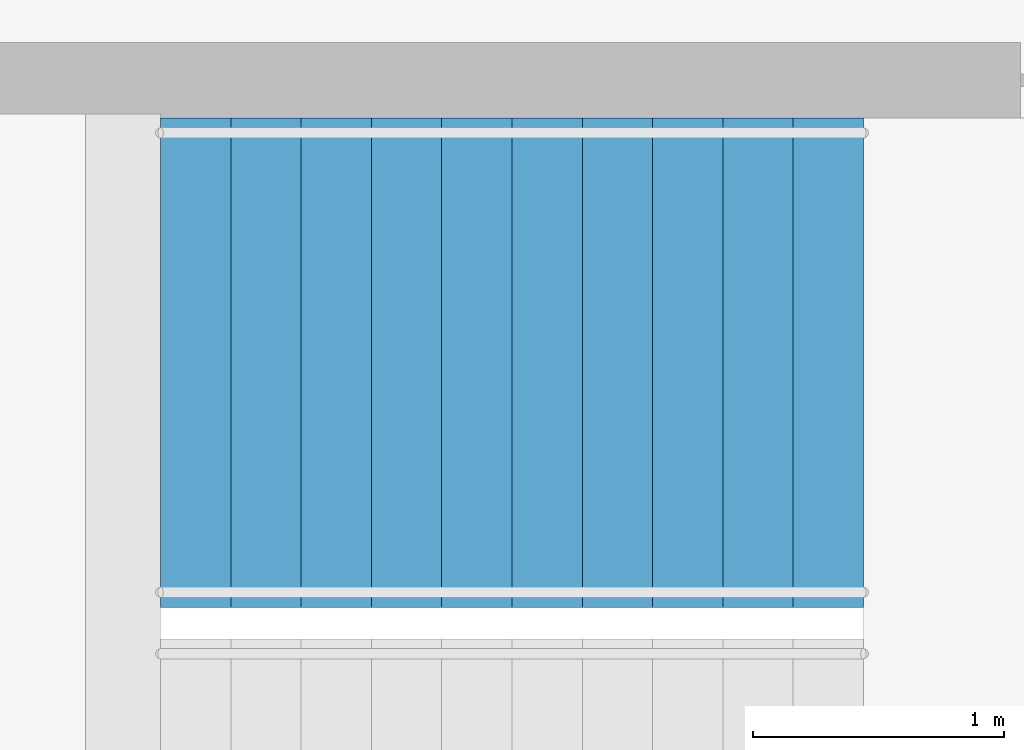
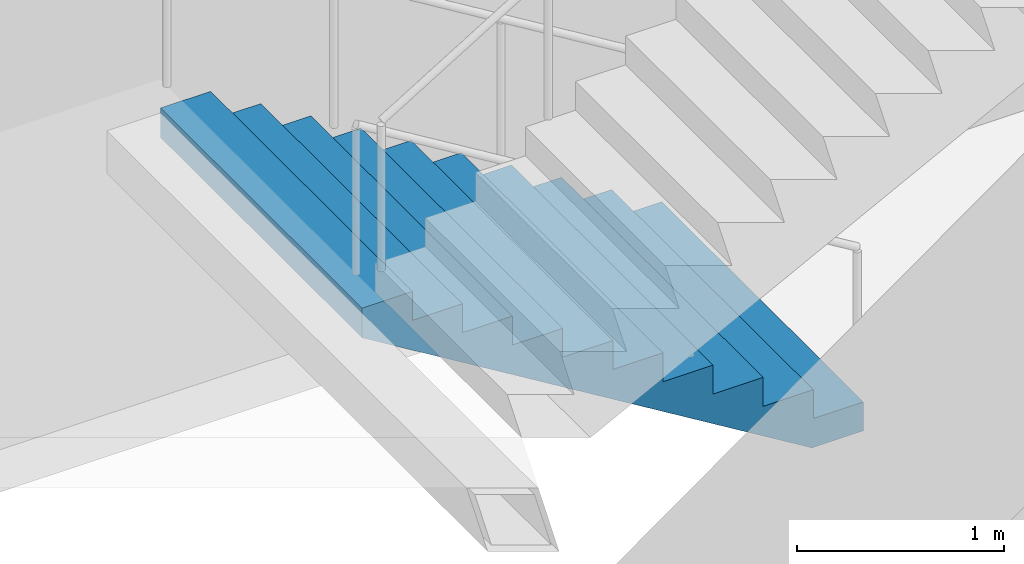
# One storey, part 21 of 22: 1 stair flight, 1 element without a shape of its own.
"""IFC4 building model written with IfcOpenShell, lengths in metres."""

import ifcopenshell
import ifcopenshell.guid

model = None  # the IFC model being written
_history = None  # IfcOwnerHistory: only IFC2X3 demands one
_inside = {}  # id of a spatial element -> (the spatial element, [elements in it])
_under = {}  # id of a project, library or spatial element -> (it, [spatial elements below it])
_declared = {}  # id of a project -> (the project, [libraries it declares])
_typed = {}  # id of a type object -> (the type object, [elements of that type])
_made_of = {}  # id of a material, layer set ... -> (it, [elements and type objects made of it])


def new_model(schema):
    """Start an empty IFC model of exactly this schema.

    Asked for "IFC4X3", IfcOpenShell would pick the latest addendum, in which some entities
    have other attributes; the version numbers below select the first issue.
    IFC2X3 requires an IfcOwnerHistory on every rooted entity: one is made here for all.
    """
    global model, _history
    if schema == "IFC4X3":
        model = ifcopenshell.file(schema_version=(4, 3, 0, 0))
    else:
        model = ifcopenshell.file(schema=schema)
    _inside.clear()
    _under.clear()
    _declared.clear()
    _typed.clear()
    _made_of.clear()
    _history = None
    if model.schema == "IFC2X3":
        org = make("IfcOrganization", Name="unknown")
        user = make(
            "IfcPersonAndOrganization",
            ThePerson=make("IfcPerson", FamilyName="unknown"),
            TheOrganization=org,
        )
        app = make(
            "IfcApplication",
            ApplicationDeveloper=org,
            Version="unknown",
            ApplicationFullName="unknown",
            ApplicationIdentifier="unknown",
        )
        _history = make(
            "IfcOwnerHistory",
            OwningUser=user,
            OwningApplication=app,
            ChangeAction="ADDED",
            CreationDate=0,
        )
    return model


def make(cls, **values):
    """One entity of the class cls with the attributes given. An attribute that is None is left unset."""
    return model.create_entity(
        cls, **{name: value for name, value in values.items() if value is not None}
    )


def rooted(cls, **values):
    """An entity with a GlobalId (a new one), such as an element, a storey or a relation."""
    return make(cls, GlobalId=ifcopenshell.guid.new(), OwnerHistory=_history, **values)


def si_unit(unit_type, name, prefix=None):
    """IfcSIUnit, for example si_unit("LENGTHUNIT", "METRE", prefix="MILLI")."""
    return make("IfcSIUnit", UnitType=unit_type, Prefix=prefix, Name=name)


def assignment(units):
    """IfcUnitAssignment: the units of a project."""
    return None if units is None else make("IfcUnitAssignment", Units=units)


def point(xyz):
    """IfcCartesianPoint."""
    return None if xyz is None else make("IfcCartesianPoint", Coordinates=xyz)


def direction(xyz):
    """IfcDirection."""
    return None if xyz is None else make("IfcDirection", DirectionRatios=xyz)


def frame(location, z_axis=None, x_axis=None):
    """IfcAxis2Placement3D, a coordinate frame: its origin and axes. An axis left out is left unset."""
    return make(
        "IfcAxis2Placement3D",
        Location=point(location),
        Axis=direction(z_axis),
        RefDirection=direction(x_axis),
    )


def origin():
    """The frame at (0, 0, 0) with its axes left unset."""
    return frame((0.0, 0.0, 0.0))


def place(relative_to, where):
    """IfcLocalPlacement: puts the frame where relative to a parent placement (None: the world)."""
    return make(
        "IfcLocalPlacement", PlacementRelTo=relative_to, RelativePlacement=where
    )


def context(
    kind, dimensions, precision=None, world=None, true_north=None, identifier=None
):
    """IfcGeometricRepresentationContext, for example the 3D "Model" context."""
    return make(
        "IfcGeometricRepresentationContext",
        ContextIdentifier=identifier,
        ContextType=kind,
        CoordinateSpaceDimension=dimensions,
        Precision=precision,
        WorldCoordinateSystem=world,
        TrueNorth=true_north,
    )


def subcontext(parent, identifier, kind, view, scale=None):
    """IfcGeometricRepresentationSubContext, for example "Body" below "Model"."""
    return make(
        "IfcGeometricRepresentationSubContext",
        ContextIdentifier=identifier,
        ContextType=kind,
        ParentContext=parent,
        TargetScale=scale,
        TargetView=view,
    )


def project(units=None, contexts=None):
    """IfcProject with its units and contexts."""
    return rooted(
        "IfcProject",
        Name="project",
        RepresentationContexts=contexts,
        UnitsInContext=assignment(units),
    )


def spatial(cls, under=None, at=None, **own):
    """A site, building, storey or space (cls), placed at a placement, below another one or the project."""
    s = rooted(cls, ObjectPlacement=at, **own)
    if under is not None:
        _under.setdefault(under.id(), (under, []))[1].append(s)
    return s


def point_list(points):
    """IfcCartesianPointList2D or 3D."""
    cls = (
        "IfcCartesianPointList2D" if len(points[0]) == 2 else "IfcCartesianPointList3D"
    )
    return make(cls, CoordList=points)


def triangles(points, corners, closed=None, point_numbers=None):
    """IfcTriangulatedFaceSet: each triangle names its three corners, points numbered from 1."""
    return make(
        "IfcTriangulatedFaceSet",
        Coordinates=point_list(points),
        Closed=closed,
        CoordIndex=corners,
        PnIndex=point_numbers,
    )


def shape(context_of_items, identifier, shape_type, items):
    """IfcShapeRepresentation: the items that make up one representation, for example the "Body"."""
    return make(
        "IfcShapeRepresentation",
        ContextOfItems=context_of_items,
        RepresentationIdentifier=identifier,
        RepresentationType=shape_type,
        Items=items,
    )


def material(Name=None, Category=None):
    """IfcMaterial."""
    return make("IfcMaterial", Name=Name, Category=Category)


def made_of(thing, what):
    """Note that an element or type object is made of a material, layer set ...; save() writes the relation."""
    if what is not None:
        _made_of.setdefault(what.id(), (what, []))[1].append(thing)
    return thing


def type_object(cls, material=None, **own):
    """A type object (cls), such as IfcWallType, which elements share."""
    return made_of(rooted(cls, **own), material)


def element(
    cls,
    number,
    at=None,
    inside=None,
    cuts=None,
    type_object=None,
    material=None,
    context=None,
    identifier="Body",
    shape_type=None,
    held_by="IfcProductDefinitionShape",
    body=None,
    shapes=None,
    **own,
):
    """One element of the class cls, such as IfcWall. Its Tag is "e" and its number.

    at: its placement. inside: the storey or other place that contains it. cuts: it is an
    opening in that element (IfcRelVoidsElement). A single representation is given by context,
    identifier, shape_type and body (its items); several are given by shapes. held_by: the class
    of the entity that holds the representations. save() writes the other relations.
    """
    e = rooted(cls, Tag="e%d" % number, ObjectPlacement=at, **own)
    if body is not None:
        shapes = [shape(context, identifier, shape_type, body)]
    if shapes is not None:
        e.Representation = make(held_by, Representations=shapes)
    if inside is not None:
        _inside.setdefault(inside.id(), (inside, []))[1].append(e)
    if cuts is not None:
        rooted(
            "IfcRelVoidsElement", RelatingBuildingElement=cuts, RelatedOpeningElement=e
        )
    if type_object is not None:
        _typed.setdefault(type_object.id(), (type_object, []))[1].append(e)
    return made_of(e, material)


def aggregate(whole, parts):
    """IfcRelAggregates: a whole, such as a stair, and the parts it consists of."""
    return rooted("IfcRelAggregates", RelatingObject=whole, RelatedObjects=parts)


def save(model, path):
    """Write the relations noted so far, then the file.

    IfcRelAggregates (storeys below a building ...), IfcRelContainedInSpatialStructure (elements
    in a storey), IfcRelDefinesByType, IfcRelAssociatesMaterial and IfcRelDeclares: one each for
    every whole, place, type object, material and project.
    """
    for whole, parts in _under.values():
        aggregate(whole, parts)
    for where, things in _inside.values():
        rooted(
            "IfcRelContainedInSpatialStructure",
            RelatedElements=things,
            RelatingStructure=where,
        )
    for kind, things in _typed.values():
        rooted("IfcRelDefinesByType", RelatedObjects=things, RelatingType=kind)
    for what, things in _made_of.values():
        rooted("IfcRelAssociatesMaterial", RelatedObjects=things, RelatingMaterial=what)
    for by, libraries in _declared.values():
        rooted("IfcRelDeclares", RelatingContext=by, RelatedDefinitions=libraries)
    model.write(path)


model = new_model("IFC4")

# Units and contexts
model_context = context("Model", 3, precision=1e-05, world=origin(), true_north=direction((0.0, 1.0)))
body_context = subcontext(model_context, "Body", "Model", "MODEL_VIEW")
ifc_project = project(units=[si_unit("LENGTHUNIT", "METRE"), si_unit("AREAUNIT", "SQUARE_METRE"), si_unit("VOLUMEUNIT", "CUBIC_METRE"), si_unit("PLANEANGLEUNIT", "RADIAN"), si_unit("MASSUNIT", "GRAM", prefix="KILO")], contexts=[model_context])

# Site, building, storey
site_placement = place(None, origin())
site = spatial("IfcSite", under=ifc_project, at=site_placement, CompositionType="ELEMENT")
building_placement = place(site_placement, origin())
building = spatial("IfcBuilding", under=site, at=building_placement, Name="Orbita Commons", CompositionType="ELEMENT")
storey_placement = place(building_placement, frame((0.0, 0.0, 186.10009765625)))
storey = spatial("IfcBuildingStorey", under=building, at=storey_placement, Name="L46", CompositionType="ELEMENT", Elevation=186.10009765625)

# Stair, stair flight
ifc_material_1 = material(Name="Precast concrete C40/50", Category="concrete")
stair_type = type_object("IfcStairType", Name="Exit stair S2 2 flights 11 risers 170", PredefinedType="HALF_TURN_STAIR", material=ifc_material_1)
stair_placement = place(storey_placement, origin())
stair = element("IfcStair", 1, at=stair_placement, inside=storey, type_object=stair_type, Name="Exit stair S2 L46", PredefinedType="HALF_TURN_STAIR")
ifc_material_2 = material(Name="Precast concrete C40/50", Category="concrete")
stair_flight_type = type_object("IfcStairFlightType", Name="Stair flight 11 risers 170 x 280", PredefinedType="STRAIGHT", material=ifc_material_2)
stair_flight_placement = place(storey_placement, frame((63.550048828125, 29.27490234375, 0.0), z_axis=(0.0, 0.0, 1.0), x_axis=(-1.0, 0.0, 0.0)))
stair_flight = element("IfcStairFlight", 2, at=stair_flight_placement, type_object=stair_flight_type, Name="S2 flight 1", NumberOfRisers=11, NumberOfTreads=10, PredefinedType="STRAIGHT", RiserHeight=0.170454545, TreadLength=0.28, context=body_context, shape_type="Tessellation", body=[
    triangles([(0.0, 0.974976, 0.0), (0.0, 0.974976, 0.021307), (0.0, 0.81248, 0.021307), (0.0, 0.81248, 0.0), (0.0, 0.649984, 0.021307), (0.0, 0.649984, 0.0), (0.0, 0.487488, 0.021307), (0.0, 0.487488, 0.0), (0.0, 0.324992, 0.021307), (0.0, 0.324992, 0.0), (0.0, 0.162496, 0.021307), (0.0, 0.162496, 0.0), (0.0, 0.0, 0.021307), (0.0, 0.0, 0.0), (0.0, -0.162496, 0.021307), (0.0, -0.162496, 0.0), (0.0, -0.324992, 0.021307), (0.0, -0.324992, 0.0), (0.0, -0.487488, 0.021307), (0.0, -0.487488, 0.0), (0.0, -0.649984, 0.021307), (0.0, -0.649984, 0.0), (0.0, -0.81248, 0.021307), (0.0, -0.81248, 0.0), (0.0, -0.974976, 0.021307), (0.0, -0.974976, 0.0), (0.0, 0.974976, 0.042614), (0.0, 0.81248, 0.042614), (0.0, 0.649984, 0.042614), (0.0, 0.487488, 0.042614), (0.0, 0.324992, 0.042614), (0.0, 0.162496, 0.042614), (0.0, 0.0, 0.042614), (0.0, -0.162496, 0.042614), (0.0, -0.324992, 0.042614), (0.0, -0.487488, 0.042614), (0.0, -0.649984, 0.042614), (0.0, -0.81248, 0.042614), (0.0, -0.974976, 0.042614), (0.0, 0.974976, 0.06392), (0.0, 0.81248, 0.06392), (0.0, 0.649984, 0.06392), (0.0, 0.487488, 0.06392), (0.0, 0.324992, 0.06392), (0.0, 0.162496, 0.06392), (0.0, 0.0, 0.06392), (0.0, -0.162496, 0.06392), (0.0, -0.324992, 0.06392), (0.0, -0.487488, 0.06392), (0.0, -0.649984, 0.06392), (0.0, -0.81248, 0.06392), (0.0, -0.974976, 0.06392), (0.0, 0.974976, 0.085227), (0.0, 0.81248, 0.085227), (0.0, 0.649984, 0.085227), (0.0, 0.487488, 0.085227), (0.0, 0.324992, 0.085227), (0.0, 0.162496, 0.085227), (0.0, 0.0, 0.085227), (0.0, -0.162496, 0.085227), (0.0, -0.324992, 0.085227), (0.0, -0.487488, 0.085227), (0.0, -0.649984, 0.085227), (0.0, -0.81248, 0.085227), (0.0, -0.974976, 0.085227), (0.0, 0.974976, 0.106534), (0.0, 0.81248, 0.106534), (0.0, 0.649984, 0.106534), (0.0, 0.487488, 0.106534), (0.0, 0.324992, 0.106534), (0.0, 0.162496, 0.106534), (0.0, 0.0, 0.106534), (0.0, -0.162496, 0.106534), (0.0, -0.324992, 0.106534), (0.0, -0.487488, 0.106534), (0.0, -0.649984, 0.106534), (0.0, -0.81248, 0.106534), (0.0, -0.974976, 0.106534), (0.0, 0.974976, 0.127841), (0.0, 0.81248, 0.127841), (0.0, 0.649984, 0.127841), (0.0, 0.487488, 0.127841), (0.0, 0.324992, 0.127841), (0.0, 0.162496, 0.127841), (0.0, 0.0, 0.127841), (0.0, -0.162496, 0.127841), (0.0, -0.324992, 0.127841), (0.0, -0.487488, 0.127841), (0.0, -0.649984, 0.127841), (0.0, -0.81248, 0.127841), (0.0, -0.974976, 0.127841), (0.0, 0.974976, 0.149148), (0.0, 0.81248, 0.149148), (0.0, 0.649984, 0.149148), (0.0, 0.487488, 0.149148), (0.0, 0.324992, 0.149148), (0.0, 0.162496, 0.149148), (0.0, 0.0, 0.149148), (0.0, -0.162496, 0.149148), (0.0, -0.324992, 0.149148), (0.0, -0.487488, 0.149148), (0.0, -0.649984, 0.149148), (0.0, -0.81248, 0.149148), (0.0, -0.974976, 0.149148), (0.0, 0.974976, 0.170455), (0.0, 0.81248, 0.170455), (0.0, 0.649984, 0.170455), (0.0, 0.487488, 0.170455), (0.0, 0.324992, 0.170455), (0.0, 0.162496, 0.170455), (0.0, 0.0, 0.170455), (0.0, -0.162496, 0.170455), (0.0, -0.324992, 0.170455), (0.0, -0.487488, 0.170455), (0.0, -0.649984, 0.170455), (0.0, -0.81248, 0.170455), (0.0, -0.974976, 0.170455), (0.28, 0.974976, 0.170455), (0.28, 0.81248, 0.170455), (0.28, 0.649984, 0.170455), (0.28, 0.487488, 0.170455), (0.28, 0.324992, 0.170455), (0.28, 0.162496, 0.170455), (0.28, 0.0, 0.170455), (0.28, -0.162496, 0.170455), (0.28, -0.324992, 0.170455), (0.28, -0.487488, 0.170455), (0.28, -0.649984, 0.170455), (0.28, -0.81248, 0.170455), (0.28, -0.974976, 0.170455), (0.28, 0.974976, 0.340909), (0.28, 0.81248, 0.340909), (0.28, 0.649984, 0.340909), (0.28, 0.487488, 0.340909), (0.28, 0.324992, 0.340909), (0.28, 0.162496, 0.340909), (0.28, 0.0, 0.340909), (0.28, -0.162496, 0.340909), (0.28, -0.324992, 0.340909), (0.28, -0.487488, 0.340909), (0.28, -0.649984, 0.340909), (0.28, -0.81248, 0.340909), (0.28, -0.974976, 0.340909), (0.56, 0.974976, 0.340909), (0.56, 0.81248, 0.340909), (0.56, 0.649984, 0.340909), (0.56, 0.487488, 0.340909), (0.56, 0.324992, 0.340909), (0.56, 0.162496, 0.340909), (0.56, 0.0, 0.340909), (0.56, -0.162496, 0.340909), (0.56, -0.324992, 0.340909), (0.56, -0.487488, 0.340909), (0.56, -0.649984, 0.340909), (0.56, -0.81248, 0.340909), (0.56, -0.974976, 0.340909), (0.56, 0.974976, 0.511364), (0.56, 0.81248, 0.511364), (0.56, 0.649984, 0.511364), (0.56, 0.487488, 0.511364), (0.56, 0.324992, 0.511364), (0.56, 0.162496, 0.511364), (0.56, 0.0, 0.511364), (0.56, -0.162496, 0.511364), (0.56, -0.324992, 0.511364), (0.56, -0.487488, 0.511364), (0.56, -0.649984, 0.511364), (0.56, -0.81248, 0.511364), (0.56, -0.974976, 0.511364), (0.84, 0.974976, 0.511364), (0.84, 0.81248, 0.511364), (0.84, 0.649984, 0.511364), (0.84, 0.487488, 0.511364), (0.84, 0.324992, 0.511364), (0.84, 0.162496, 0.511364), (0.84, 0.0, 0.511364), (0.84, -0.162496, 0.511364), (0.84, -0.324992, 0.511364), (0.84, -0.487488, 0.511364), (0.84, -0.649984, 0.511364), (0.84, -0.81248, 0.511364), (0.84, -0.974976, 0.511364), (0.84, 0.974976, 0.681818), (0.84, 0.81248, 0.681818), (0.84, 0.649984, 0.681818), (0.84, 0.487488, 0.681818), (0.84, 0.324992, 0.681818), (0.84, 0.162496, 0.681818), (0.84, 0.0, 0.681818), (0.84, -0.162496, 0.681818), (0.84, -0.324992, 0.681818), (0.84, -0.487488, 0.681818), (0.84, -0.649984, 0.681818), (0.84, -0.81248, 0.681818), (0.84, -0.974976, 0.681818), (1.12, 0.974976, 0.681818), (1.12, 0.81248, 0.681818), (1.12, 0.649984, 0.681818), (1.12, 0.487488, 0.681818), (1.12, 0.324992, 0.681818), (1.12, 0.162496, 0.681818), (1.12, 0.0, 0.681818), (1.12, -0.162496, 0.681818), (1.12, -0.324992, 0.681818), (1.12, -0.487488, 0.681818), (1.12, -0.649984, 0.681818), (1.12, -0.81248, 0.681818), (1.12, -0.974976, 0.681818), (1.12, 0.974976, 0.852273), (1.12, 0.81248, 0.852273), (1.12, 0.649984, 0.852273), (1.12, 0.487488, 0.852273), (1.12, 0.324992, 0.852273), (1.12, 0.162496, 0.852273), (1.12, 0.0, 0.852273), (1.12, -0.162496, 0.852273), (1.12, -0.324992, 0.852273), (1.12, -0.487488, 0.852273), (1.12, -0.649984, 0.852273), (1.12, -0.81248, 0.852273), (1.12, -0.974976, 0.852273), (1.4, 0.974976, 0.852273), (1.4, 0.81248, 0.852273), (1.4, 0.649984, 0.852273), (1.4, 0.487488, 0.852273), (1.4, 0.324992, 0.852273), (1.4, 0.162496, 0.852273), (1.4, 0.0, 0.852273), (1.4, -0.162496, 0.852273), (1.4, -0.324992, 0.852273), (1.4, -0.487488, 0.852273), (1.4, -0.649984, 0.852273), (1.4, -0.81248, 0.852273), (1.4, -0.974976, 0.852273), (1.4, 0.974976, 1.022727), (1.4, 0.81248, 1.022727), (1.4, 0.649984, 1.022727), (1.4, 0.487488, 1.022727), (1.4, 0.324992, 1.022727), (1.4, 0.162496, 1.022727), (1.4, 0.0, 1.022727), (1.4, -0.162496, 1.022727), (1.4, -0.324992, 1.022727), (1.4, -0.487488, 1.022727), (1.4, -0.649984, 1.022727), (1.4, -0.81248, 1.022727), (1.4, -0.974976, 1.022727), (1.68, 0.974976, 1.022727), (1.68, 0.81248, 1.022727), (1.68, 0.649984, 1.022727), (1.68, 0.487488, 1.022727), (1.68, 0.324992, 1.022727), (1.68, 0.162496, 1.022727), (1.68, 0.0, 1.022727), (1.68, -0.162496, 1.022727), (1.68, -0.324992, 1.022727), (1.68, -0.487488, 1.022727), (1.68, -0.649984, 1.022727), (1.68, -0.81248, 1.022727), (1.68, -0.974976, 1.022727), (1.68, 0.974976, 1.193182), (1.68, 0.81248, 1.193182), (1.68, 0.649984, 1.193182), (1.68, 0.487488, 1.193182), (1.68, 0.324992, 1.193182), (1.68, 0.162496, 1.193182), (1.68, 0.0, 1.193182), (1.68, -0.162496, 1.193182), (1.68, -0.324992, 1.193182), (1.68, -0.487488, 1.193182), (1.68, -0.649984, 1.193182), (1.68, -0.81248, 1.193182), (1.68, -0.974976, 1.193182), (1.96, 0.974976, 1.193182), (1.96, 0.81248, 1.193182), (1.96, 0.649984, 1.193182), (1.96, 0.487488, 1.193182), (1.96, 0.324992, 1.193182), (1.96, 0.162496, 1.193182), (1.96, 0.0, 1.193182), (1.96, -0.162496, 1.193182), (1.96, -0.324992, 1.193182), (1.96, -0.487488, 1.193182), (1.96, -0.649984, 1.193182), (1.96, -0.81248, 1.193182), (1.96, -0.974976, 1.193182), (1.96, 0.974976, 1.363636), (1.96, 0.81248, 1.363636), (1.96, 0.649984, 1.363636), (1.96, 0.487488, 1.363636), (1.96, 0.324992, 1.363636), (1.96, 0.162496, 1.363636), (1.96, 0.0, 1.363636), (1.96, -0.162496, 1.363636), (1.96, -0.324992, 1.363636), (1.96, -0.487488, 1.363636), (1.96, -0.649984, 1.363636), (1.96, -0.81248, 1.363636), (1.96, -0.974976, 1.363636), (2.24, 0.974976, 1.363636), (2.24, 0.81248, 1.363636), (2.24, 0.649984, 1.363636), (2.24, 0.487488, 1.363636), (2.24, 0.324992, 1.363636), (2.24, 0.162496, 1.363636), (2.24, 0.0, 1.363636), (2.24, -0.162496, 1.363636), (2.24, -0.324992, 1.363636), (2.24, -0.487488, 1.363636), (2.24, -0.649984, 1.363636), (2.24, -0.81248, 1.363636), (2.24, -0.974976, 1.363636), (2.24, 0.974976, 1.534091), (2.24, 0.81248, 1.534091), (2.24, 0.649984, 1.534091), (2.24, 0.487488, 1.534091), (2.24, 0.324992, 1.534091), (2.24, 0.162496, 1.534091), (2.24, 0.0, 1.534091), (2.24, -0.162496, 1.534091), (2.24, -0.324992, 1.534091), (2.24, -0.487488, 1.534091), (2.24, -0.649984, 1.534091), (2.24, -0.81248, 1.534091), (2.24, -0.974976, 1.534091), (2.52, 0.974976, 1.534091), (2.52, 0.81248, 1.534091), (2.52, 0.649984, 1.534091), (2.52, 0.487488, 1.534091), (2.52, 0.324992, 1.534091), (2.52, 0.162496, 1.534091), (2.52, 0.0, 1.534091), (2.52, -0.162496, 1.534091), (2.52, -0.324992, 1.534091), (2.52, -0.487488, 1.534091), (2.52, -0.649984, 1.534091), (2.52, -0.81248, 1.534091), (2.52, -0.974976, 1.534091), (2.52, 0.974976, 1.704545), (2.52, 0.81248, 1.704545), (2.52, 0.649984, 1.704545), (2.52, 0.487488, 1.704545), (2.52, 0.324992, 1.704545), (2.52, 0.162496, 1.704545), (2.52, 0.0, 1.704545), (2.52, -0.162496, 1.704545), (2.52, -0.324992, 1.704545), (2.52, -0.487488, 1.704545), (2.52, -0.649984, 1.704545), (2.52, -0.81248, 1.704545), (2.52, -0.974976, 1.704545), (2.8, 0.974976, 1.704545), (2.8, 0.81248, 1.704545), (2.8, 0.649984, 1.704545), (2.8, 0.487488, 1.704545), (2.8, 0.324992, 1.704545), (2.8, 0.162496, 1.704545), (2.8, 0.0, 1.704545), (2.8, -0.162496, 1.704545), (2.8, -0.324992, 1.704545), (2.8, -0.487488, 1.704545), (2.8, -0.649984, 1.704545), (2.8, -0.81248, 1.704545), (2.8, -0.974976, 1.704545), (2.8, 0.974976, 1.682609), (2.8, 0.81248, 1.682609), (2.8, 0.649984, 1.682609), (2.8, 0.487488, 1.682609), (2.8, 0.324992, 1.682609), (2.8, 0.162496, 1.682609), (2.8, 0.0, 1.682609), (2.8, -0.162496, 1.682609), (2.8, -0.324992, 1.682609), (2.8, -0.487488, 1.682609), (2.8, -0.649984, 1.682609), (2.8, -0.81248, 1.682609), (2.8, -0.974976, 1.682609), (2.8, 0.974976, 1.660672), (2.8, 0.81248, 1.660672), (2.8, 0.649984, 1.660672), (2.8, 0.487488, 1.660672), (2.8, 0.324992, 1.660672), (2.8, 0.162496, 1.660672), (2.8, 0.0, 1.660672), (2.8, -0.162496, 1.660672), (2.8, -0.324992, 1.660672), (2.8, -0.487488, 1.660672), (2.8, -0.649984, 1.660672), (2.8, -0.81248, 1.660672), (2.8, -0.974976, 1.660672), (2.8, 0.974976, 1.638735), (2.8, 0.81248, 1.638735), (2.8, 0.649984, 1.638735), (2.8, 0.487488, 1.638735), (2.8, 0.324992, 1.638735), (2.8, 0.162496, 1.638735), (2.8, 0.0, 1.638735), (2.8, -0.162496, 1.638735), (2.8, -0.324992, 1.638735), (2.8, -0.487488, 1.638735), (2.8, -0.649984, 1.638735), (2.8, -0.81248, 1.638735), (2.8, -0.974976, 1.638735), (2.8, 0.974976, 1.616798), (2.8, 0.81248, 1.616798), (2.8, 0.649984, 1.616798), (2.8, 0.487488, 1.616798), (2.8, 0.324992, 1.616798), (2.8, 0.162496, 1.616798), (2.8, 0.0, 1.616798), (2.8, -0.162496, 1.616798), (2.8, -0.324992, 1.616798), (2.8, -0.487488, 1.616798), (2.8, -0.649984, 1.616798), (2.8, -0.81248, 1.616798), (2.8, -0.974976, 1.616798), (2.8, 0.974976, 1.594861), (2.8, 0.81248, 1.594861), (2.8, 0.649984, 1.594861), (2.8, 0.487488, 1.594861), (2.8, 0.324992, 1.594861), (2.8, 0.162496, 1.594861), (2.8, 0.0, 1.594861), (2.8, -0.162496, 1.594861), (2.8, -0.324992, 1.594861), (2.8, -0.487488, 1.594861), (2.8, -0.649984, 1.594861), (2.8, -0.81248, 1.594861), (2.8, -0.974976, 1.594861), (2.8, 0.974976, 1.572925), (2.8, 0.81248, 1.572925), (2.8, 0.649984, 1.572925), (2.8, 0.487488, 1.572925), (2.8, 0.324992, 1.572925), (2.8, 0.162496, 1.572925), (2.8, 0.0, 1.572925), (2.8, -0.162496, 1.572925), (2.8, -0.324992, 1.572925), (2.8, -0.487488, 1.572925), (2.8, -0.649984, 1.572925), (2.8, -0.81248, 1.572925), (2.8, -0.974976, 1.572925), (2.8, 0.974976, 1.550988), (2.8, 0.81248, 1.550988), (2.8, 0.649984, 1.550988), (2.8, 0.487488, 1.550988), (2.8, 0.324992, 1.550988), (2.8, 0.162496, 1.550988), (2.8, 0.0, 1.550988), (2.8, -0.162496, 1.550988), (2.8, -0.324992, 1.550988), (2.8, -0.487488, 1.550988), (2.8, -0.649984, 1.550988), (2.8, -0.81248, 1.550988), (2.8, -0.974976, 1.550988), (2.8, 0.974976, 1.529051), (2.8, 0.81248, 1.529051), (2.8, 0.649984, 1.529051), (2.8, 0.487488, 1.529051), (2.8, 0.324992, 1.529051), (2.8, 0.162496, 1.529051), (2.8, 0.0, 1.529051), (2.8, -0.162496, 1.529051), (2.8, -0.324992, 1.529051), (2.8, -0.487488, 1.529051), (2.8, -0.649984, 1.529051), (2.8, -0.81248, 1.529051), (2.8, -0.974976, 1.529051), (0.288279, 0.974976, 0.0), (0.288279, 0.81248, 0.0), (0.288279, 0.649984, 0.0), (0.288279, 0.487488, 0.0), (0.288279, 0.324992, 0.0), (0.288279, 0.162496, 0.0), (0.288279, 0.0, 0.0), (0.288279, -0.162496, 0.0), (0.288279, -0.324992, 0.0), (0.288279, -0.487488, 0.0), (0.288279, -0.649984, 0.0), (0.288279, -0.81248, 0.0), (0.288279, -0.974976, 0.0)], [[3, 2, 1], [4, 3, 1], [5, 3, 4], [6, 5, 4], [7, 5, 6], [8, 7, 6], [9, 7, 8], [10, 9, 8], [11, 9, 10], [12, 11, 10], [13, 11, 12], [14, 13, 12], [15, 13, 14], [16, 15, 14], [17, 15, 16], [18, 17, 16], [19, 17, 18], [20, 19, 18], [21, 19, 20], [22, 21, 20], [23, 21, 22], [24, 23, 22], [25, 23, 24], [26, 25, 24], [28, 27, 2], [3, 28, 2], [29, 28, 3], [5, 29, 3], [30, 29, 5], [7, 30, 5], [31, 30, 7], [9, 31, 7], [32, 31, 9], [11, 32, 9], [33, 32, 11], [13, 33, 11], [34, 33, 13], [15, 34, 13], [35, 34, 15], [17, 35, 15], [36, 35, 17], [19, 36, 17], [37, 36, 19], [21, 37, 19], [38, 37, 21], [23, 38, 21], [39, 38, 23], [25, 39, 23], [41, 40, 27], [28, 41, 27], [42, 41, 28], [29, 42, 28], [43, 42, 29], [30, 43, 29], [44, 43, 30], [31, 44, 30], [45, 44, 31], [32, 45, 31], [46, 45, 32], [33, 46, 32], [47, 46, 33], [34, 47, 33], [48, 47, 34], [35, 48, 34], [49, 48, 35], [36, 49, 35], [50, 49, 36], [37, 50, 36], [51, 50, 37], [38, 51, 37], [52, 51, 38], [39, 52, 38], [54, 53, 40], [41, 54, 40], [55, 54, 41], [42, 55, 41], [56, 55, 42], [43, 56, 42], [57, 56, 43], [44, 57, 43], [58, 57, 44], [45, 58, 44], [59, 58, 45], [46, 59, 45], [60, 59, 46], [47, 60, 46], [61, 60, 47], [48, 61, 47], [62, 61, 48], [49, 62, 48], [63, 62, 49], [50, 63, 49], [64, 63, 50], [51, 64, 50], [65, 64, 51], [52, 65, 51], [67, 66, 53], [54, 67, 53], [68, 67, 54], [55, 68, 54], [69, 68, 55], [56, 69, 55], [70, 69, 56], [57, 70, 56], [71, 70, 57], [58, 71, 57], [72, 71, 58], [59, 72, 58], [73, 72, 59], [60, 73, 59], [74, 73, 60], [61, 74, 60], [75, 74, 61], [62, 75, 61], [76, 75, 62], [63, 76, 62], [77, 76, 63], [64, 77, 63], [78, 77, 64], [65, 78, 64], [80, 79, 66], [67, 80, 66], [81, 80, 67], [68, 81, 67], [82, 81, 68], [69, 82, 68], [83, 82, 69], [70, 83, 69], [84, 83, 70], [71, 84, 70], [85, 84, 71], [72, 85, 71], [86, 85, 72], [73, 86, 72], [87, 86, 73], [74, 87, 73], [88, 87, 74], [75, 88, 74], [89, 88, 75], [76, 89, 75], [90, 89, 76], [77, 90, 76], [91, 90, 77], [78, 91, 77], [93, 92, 79], [80, 93, 79], [94, 93, 80], [81, 94, 80], [95, 94, 81], [82, 95, 81], [96, 95, 82], [83, 96, 82], [97, 96, 83], [84, 97, 83], [98, 97, 84], [85, 98, 84], [99, 98, 85], [86, 99, 85], [100, 99, 86], [87, 100, 86], [101, 100, 87], [88, 101, 87], [102, 101, 88], [89, 102, 88], [103, 102, 89], [90, 103, 89], [104, 103, 90], [91, 104, 90], [106, 105, 92], [93, 106, 92], [107, 106, 93], [94, 107, 93], [108, 107, 94], [95, 108, 94], [109, 108, 95], [96, 109, 95], [110, 109, 96], [97, 110, 96], [111, 110, 97], [98, 111, 97], [112, 111, 98], [99, 112, 98], [113, 112, 99], [100, 113, 99], [114, 113, 100], [101, 114, 100], [115, 114, 101], [102, 115, 101], [116, 115, 102], [103, 116, 102], [117, 116, 103], [104, 117, 103], [119, 118, 105], [106, 119, 105], [120, 119, 106], [107, 120, 106], [121, 120, 107], [108, 121, 107], [122, 121, 108], [109, 122, 108], [123, 122, 109], [110, 123, 109], [124, 123, 110], [111, 124, 110], [125, 124, 111], [112, 125, 111], [126, 125, 112], [113, 126, 112], [127, 126, 113], [114, 127, 113], [128, 127, 114], [115, 128, 114], [129, 128, 115], [116, 129, 115], [130, 129, 116], [117, 130, 116], [132, 131, 118], [119, 132, 118], [133, 132, 119], [120, 133, 119], [134, 133, 120], [121, 134, 120], [135, 134, 121], [122, 135, 121], [136, 135, 122], [123, 136, 122], [137, 136, 123], [124, 137, 123], [138, 137, 124], [125, 138, 124], [139, 138, 125], [126, 139, 125], [140, 139, 126], [127, 140, 126], [141, 140, 127], [128, 141, 127], [142, 141, 128], [129, 142, 128], [143, 142, 129], [130, 143, 129], [145, 144, 131], [132, 145, 131], [146, 145, 132], [133, 146, 132], [147, 146, 133], [134, 147, 133], [148, 147, 134], [135, 148, 134], [149, 148, 135], [136, 149, 135], [150, 149, 136], [137, 150, 136], [151, 150, 137], [138, 151, 137], [152, 151, 138], [139, 152, 138], [153, 152, 139], [140, 153, 139], [154, 153, 140], [141, 154, 140], [155, 154, 141], [142, 155, 141], [156, 155, 142], [143, 156, 142], [158, 157, 144], [145, 158, 144], [159, 158, 145], [146, 159, 145], [160, 159, 146], [147, 160, 146], [161, 160, 147], [148, 161, 147], [162, 161, 148], [149, 162, 148], [163, 162, 149], [150, 163, 149], [164, 163, 150], [151, 164, 150], [165, 164, 151], [152, 165, 151], [166, 165, 152], [153, 166, 152], [167, 166, 153], [154, 167, 153], [168, 167, 154], [155, 168, 154], [169, 168, 155], [156, 169, 155], [171, 170, 157], [158, 171, 157], [172, 171, 158], [159, 172, 158], [173, 172, 159], [160, 173, 159], [174, 173, 160], [161, 174, 160], [175, 174, 161], [162, 175, 161], [176, 175, 162], [163, 176, 162], [177, 176, 163], [164, 177, 163], [178, 177, 164], [165, 178, 164], [179, 178, 165], [166, 179, 165], [180, 179, 166], [167, 180, 166], [181, 180, 167], [168, 181, 167], [182, 181, 168], [169, 182, 168], [184, 183, 170], [171, 184, 170], [185, 184, 171], [172, 185, 171], [186, 185, 172], [173, 186, 172], [187, 186, 173], [174, 187, 173], [188, 187, 174], [175, 188, 174], [189, 188, 175], [176, 189, 175], [190, 189, 176], [177, 190, 176], [191, 190, 177], [178, 191, 177], [192, 191, 178], [179, 192, 178], [193, 192, 179], [180, 193, 179], [194, 193, 180], [181, 194, 180], [195, 194, 181], [182, 195, 181], [197, 196, 183], [184, 197, 183], [198, 197, 184], [185, 198, 184], [199, 198, 185], [186, 199, 185], [200, 199, 186], [187, 200, 186], [201, 200, 187], [188, 201, 187], [202, 201, 188], [189, 202, 188], [203, 202, 189], [190, 203, 189], [204, 203, 190], [191, 204, 190], [205, 204, 191], [192, 205, 191], [206, 205, 192], [193, 206, 192], [207, 206, 193], [194, 207, 193], [208, 207, 194], [195, 208, 194], [210, 209, 196], [197, 210, 196], [211, 210, 197], [198, 211, 197], [212, 211, 198], [199, 212, 198], [213, 212, 199], [200, 213, 199], [214, 213, 200], [201, 214, 200], [215, 214, 201], [202, 215, 201], [216, 215, 202], [203, 216, 202], [217, 216, 203], [204, 217, 203], [218, 217, 204], [205, 218, 204], [219, 218, 205], [206, 219, 205], [220, 219, 206], [207, 220, 206], [221, 220, 207], [208, 221, 207], [223, 222, 209], [210, 223, 209], [224, 223, 210], [211, 224, 210], [225, 224, 211], [212, 225, 211], [226, 225, 212], [213, 226, 212], [227, 226, 213], [214, 227, 213], [228, 227, 214], [215, 228, 214], [229, 228, 215], [216, 229, 215], [230, 229, 216], [217, 230, 216], [231, 230, 217], [218, 231, 217], [232, 231, 218], [219, 232, 218], [233, 232, 219], [220, 233, 219], [234, 233, 220], [221, 234, 220], [236, 235, 222], [223, 236, 222], [237, 236, 223], [224, 237, 223], [238, 237, 224], [225, 238, 224], [239, 238, 225], [226, 239, 225], [240, 239, 226], [227, 240, 226], [241, 240, 227], [228, 241, 227], [242, 241, 228], [229, 242, 228], [243, 242, 229], [230, 243, 229], [244, 243, 230], [231, 244, 230], [245, 244, 231], [232, 245, 231], [246, 245, 232], [233, 246, 232], [247, 246, 233], [234, 247, 233], [249, 248, 235], [236, 249, 235], [250, 249, 236], [237, 250, 236], [251, 250, 237], [238, 251, 237], [252, 251, 238], [239, 252, 238], [253, 252, 239], [240, 253, 239], [254, 253, 240], [241, 254, 240], [255, 254, 241], [242, 255, 241], [256, 255, 242], [243, 256, 242], [257, 256, 243], [244, 257, 243], [258, 257, 244], [245, 258, 244], [259, 258, 245], [246, 259, 245], [260, 259, 246], [247, 260, 246], [262, 261, 248], [249, 262, 248], [263, 262, 249], [250, 263, 249], [264, 263, 250], [251, 264, 250], [265, 264, 251], [252, 265, 251], [266, 265, 252], [253, 266, 252], [267, 266, 253], [254, 267, 253], [268, 267, 254], [255, 268, 254], [269, 268, 255], [256, 269, 255], [270, 269, 256], [257, 270, 256], [271, 270, 257], [258, 271, 257], [272, 271, 258], [259, 272, 258], [273, 272, 259], [260, 273, 259], [275, 274, 261], [262, 275, 261], [276, 275, 262], [263, 276, 262], [277, 276, 263], [264, 277, 263], [278, 277, 264], [265, 278, 264], [279, 278, 265], [266, 279, 265], [280, 279, 266], [267, 280, 266], [281, 280, 267], [268, 281, 267], [282, 281, 268], [269, 282, 268], [283, 282, 269], [270, 283, 269], [284, 283, 270], [271, 284, 270], [285, 284, 271], [272, 285, 271], [286, 285, 272], [273, 286, 272], [288, 287, 274], [275, 288, 274], [289, 288, 275], [276, 289, 275], [290, 289, 276], [277, 290, 276], [291, 290, 277], [278, 291, 277], [292, 291, 278], [279, 292, 278], [293, 292, 279], [280, 293, 279], [294, 293, 280], [281, 294, 280], [295, 294, 281], [282, 295, 281], [296, 295, 282], [283, 296, 282], [297, 296, 283], [284, 297, 283], [298, 297, 284], [285, 298, 284], [299, 298, 285], [286, 299, 285], [301, 300, 287], [288, 301, 287], [302, 301, 288], [289, 302, 288], [303, 302, 289], [290, 303, 289], [304, 303, 290], [291, 304, 290], [305, 304, 291], [292, 305, 291], [306, 305, 292], [293, 306, 292], [307, 306, 293], [294, 307, 293], [308, 307, 294], [295, 308, 294], [309, 308, 295], [296, 309, 295], [310, 309, 296], [297, 310, 296], [311, 310, 297], [298, 311, 297], [312, 311, 298], [299, 312, 298], [314, 313, 300], [301, 314, 300], [315, 314, 301], [302, 315, 301], [316, 315, 302], [303, 316, 302], [317, 316, 303], [304, 317, 303], [318, 317, 304], [305, 318, 304], [319, 318, 305], [306, 319, 305], [320, 319, 306], [307, 320, 306], [321, 320, 307], [308, 321, 307], [322, 321, 308], [309, 322, 308], [323, 322, 309], [310, 323, 309], [324, 323, 310], [311, 324, 310], [325, 324, 311], [312, 325, 311], [327, 326, 313], [314, 327, 313], [328, 327, 314], [315, 328, 314], [329, 328, 315], [316, 329, 315], [330, 329, 316], [317, 330, 316], [331, 330, 317], [318, 331, 317], [332, 331, 318], [319, 332, 318], [333, 332, 319], [320, 333, 319], [334, 333, 320], [321, 334, 320], [335, 334, 321], [322, 335, 321], [336, 335, 322], [323, 336, 322], [337, 336, 323], [324, 337, 323], [338, 337, 324], [325, 338, 324], [340, 339, 326], [327, 340, 326], [341, 340, 327], [328, 341, 327], [342, 341, 328], [329, 342, 328], [343, 342, 329], [330, 343, 329], [344, 343, 330], [331, 344, 330], [345, 344, 331], [332, 345, 331], [346, 345, 332], [333, 346, 332], [347, 346, 333], [334, 347, 333], [348, 347, 334], [335, 348, 334], [349, 348, 335], [336, 349, 335], [350, 349, 336], [337, 350, 336], [351, 350, 337], [338, 351, 337], [353, 352, 339], [340, 353, 339], [354, 353, 340], [341, 354, 340], [355, 354, 341], [342, 355, 341], [356, 355, 342], [343, 356, 342], [357, 356, 343], [344, 357, 343], [358, 357, 344], [345, 358, 344], [359, 358, 345], [346, 359, 345], [360, 359, 346], [347, 360, 346], [361, 360, 347], [348, 361, 347], [362, 361, 348], [349, 362, 348], [363, 362, 349], [350, 363, 349], [364, 363, 350], [351, 364, 350], [366, 365, 352], [353, 366, 352], [367, 366, 353], [354, 367, 353], [368, 367, 354], [355, 368, 354], [369, 368, 355], [356, 369, 355], [370, 369, 356], [357, 370, 356], [371, 370, 357], [358, 371, 357], [372, 371, 358], [359, 372, 358], [373, 372, 359], [360, 373, 359], [374, 373, 360], [361, 374, 360], [375, 374, 361], [362, 375, 361], [376, 375, 362], [363, 376, 362], [377, 376, 363], [364, 377, 363], [379, 378, 365], [366, 379, 365], [380, 379, 366], [367, 380, 366], [381, 380, 367], [368, 381, 367], [382, 381, 368], [369, 382, 368], [383, 382, 369], [370, 383, 369], [384, 383, 370], [371, 384, 370], [385, 384, 371], [372, 385, 371], [386, 385, 372], [373, 386, 372], [387, 386, 373], [374, 387, 373], [388, 387, 374], [375, 388, 374], [389, 388, 375], [376, 389, 375], [390, 389, 376], [377, 390, 376], [392, 391, 378], [379, 392, 378], [393, 392, 379], [380, 393, 379], [394, 393, 380], [381, 394, 380], [395, 394, 381], [382, 395, 381], [396, 395, 382], [383, 396, 382], [397, 396, 383], [384, 397, 383], [398, 397, 384], [385, 398, 384], [399, 398, 385], [386, 399, 385], [400, 399, 386], [387, 400, 386], [401, 400, 387], [388, 401, 387], [402, 401, 388], [389, 402, 388], [403, 402, 389], [390, 403, 389], [405, 404, 391], [392, 405, 391], [406, 405, 392], [393, 406, 392], [407, 406, 393], [394, 407, 393], [408, 407, 394], [395, 408, 394], [409, 408, 395], [396, 409, 395], [410, 409, 396], [397, 410, 396], [411, 410, 397], [398, 411, 397], [412, 411, 398], [399, 412, 398], [413, 412, 399], [400, 413, 399], [414, 413, 400], [401, 414, 400], [415, 414, 401], [402, 415, 401], [416, 415, 402], [403, 416, 402], [418, 417, 404], [405, 418, 404], [419, 418, 405], [406, 419, 405], [420, 419, 406], [407, 420, 406], [421, 420, 407], [408, 421, 407], [422, 421, 408], [409, 422, 408], [423, 422, 409], [410, 423, 409], [424, 423, 410], [411, 424, 410], [425, 424, 411], [412, 425, 411], [426, 425, 412], [413, 426, 412], [427, 426, 413], [414, 427, 413], [428, 427, 414], [415, 428, 414], [429, 428, 415], [416, 429, 415], [431, 430, 417], [418, 431, 417], [432, 431, 418], [419, 432, 418], [433, 432, 419], [420, 433, 419], [434, 433, 420], [421, 434, 420], [435, 434, 421], [422, 435, 421], [436, 435, 422], [423, 436, 422], [437, 436, 423], [424, 437, 423], [438, 437, 424], [425, 438, 424], [439, 438, 425], [426, 439, 425], [440, 439, 426], [427, 440, 426], [441, 440, 427], [428, 441, 427], [442, 441, 428], [429, 442, 428], [444, 443, 430], [431, 444, 430], [445, 444, 431], [432, 445, 431], [446, 445, 432], [433, 446, 432], [447, 446, 433], [434, 447, 433], [448, 447, 434], [435, 448, 434], [449, 448, 435], [436, 449, 435], [450, 449, 436], [437, 450, 436], [451, 450, 437], [438, 451, 437], [452, 451, 438], [439, 452, 438], [453, 452, 439], [440, 453, 439], [454, 453, 440], [441, 454, 440], [455, 454, 441], [442, 455, 441], [457, 456, 443], [444, 457, 443], [458, 457, 444], [445, 458, 444], [459, 458, 445], [446, 459, 445], [460, 459, 446], [447, 460, 446], [461, 460, 447], [448, 461, 447], [462, 461, 448], [449, 462, 448], [463, 462, 449], [450, 463, 449], [464, 463, 450], [451, 464, 450], [465, 464, 451], [452, 465, 451], [466, 465, 452], [453, 466, 452], [467, 466, 453], [454, 467, 453], [468, 467, 454], [455, 468, 454], [470, 469, 456], [457, 470, 456], [471, 470, 457], [458, 471, 457], [472, 471, 458], [459, 472, 458], [473, 472, 459], [460, 473, 459], [474, 473, 460], [461, 474, 460], [475, 474, 461], [462, 475, 461], [476, 475, 462], [463, 476, 462], [477, 476, 463], [464, 477, 463], [478, 477, 464], [465, 478, 464], [479, 478, 465], [466, 479, 465], [480, 479, 466], [467, 480, 466], [481, 480, 467], [468, 481, 467], [4, 1, 469], [470, 4, 469], [6, 4, 470], [471, 6, 470], [8, 6, 471], [472, 8, 471], [10, 8, 472], [473, 10, 472], [12, 10, 473], [474, 12, 473], [14, 12, 474], [475, 14, 474], [16, 14, 475], [476, 16, 475], [18, 16, 476], [477, 18, 476], [20, 18, 477], [478, 20, 477], [22, 20, 478], [479, 22, 478], [24, 22, 479], [480, 24, 479], [26, 24, 480], [481, 26, 480], [456, 469, 1], [26, 481, 468], [443, 456, 1], [26, 468, 455], [430, 443, 1], [26, 455, 442], [417, 430, 1], [26, 442, 429], [404, 417, 1], [26, 429, 416], [391, 404, 1], [26, 416, 403], [378, 391, 1], [26, 403, 390], [365, 378, 1], [26, 390, 377], [339, 352, 365], [377, 364, 351], [326, 339, 365], [377, 351, 338], [300, 313, 326], [338, 325, 312], [300, 326, 365], [377, 338, 312], [274, 287, 300], [312, 299, 286], [274, 300, 365], [377, 312, 286], [248, 261, 274], [286, 273, 260], [248, 274, 365], [377, 286, 260], [222, 235, 248], [260, 247, 234], [222, 248, 365], [377, 260, 234], [196, 209, 222], [234, 221, 208], [196, 222, 365], [377, 234, 208], [170, 183, 196], [208, 195, 182], [170, 196, 365], [377, 208, 182], [144, 157, 170], [182, 169, 156], [144, 170, 365], [377, 182, 156], [118, 131, 144], [156, 143, 130], [118, 144, 365], [377, 156, 130], [118, 365, 1], [26, 377, 130], [92, 105, 118], [130, 117, 104], [79, 92, 118], [130, 104, 91], [66, 79, 118], [130, 91, 78], [53, 66, 118], [130, 78, 65], [40, 53, 118], [130, 65, 52], [27, 40, 118], [130, 52, 39], [2, 27, 118], [130, 39, 25], [1, 2, 118], [130, 25, 26]], closed=True),
])
aggregate(stair, [stair_flight])

save(model, "model.ifc")
